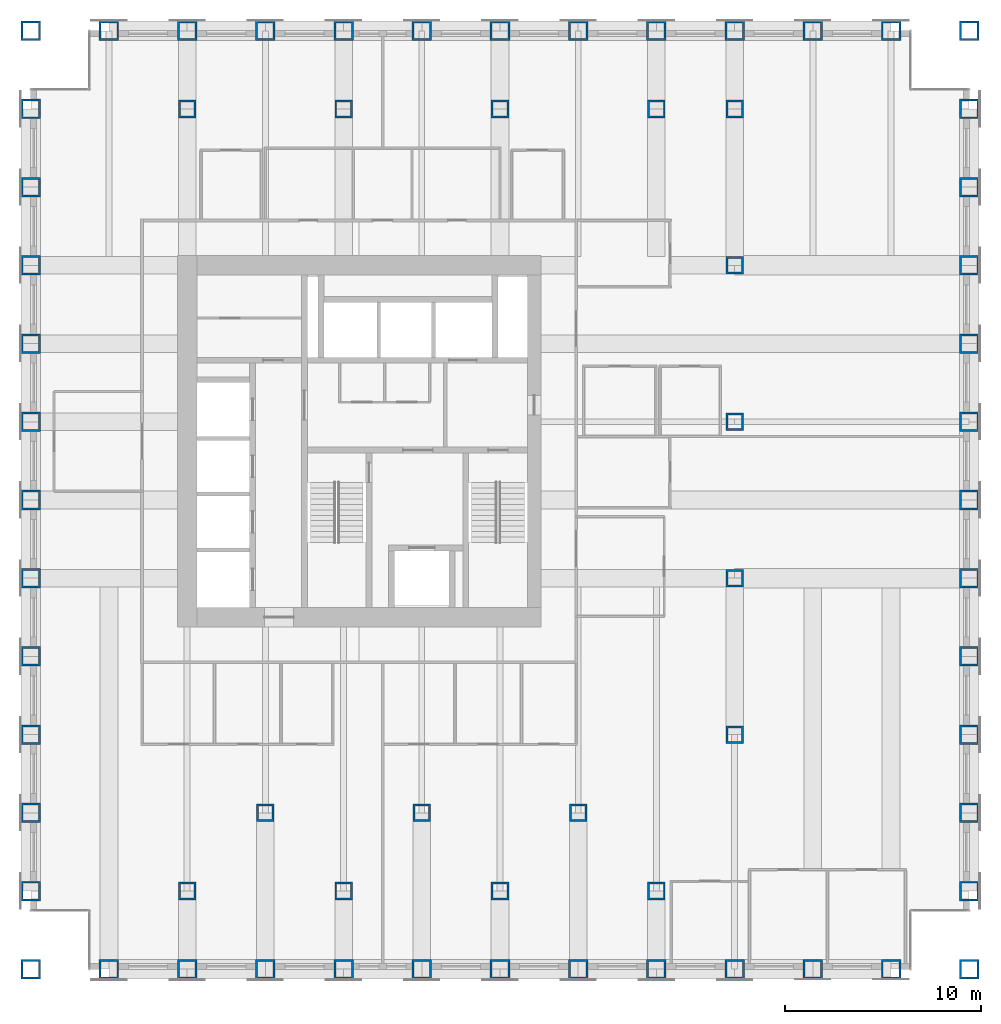
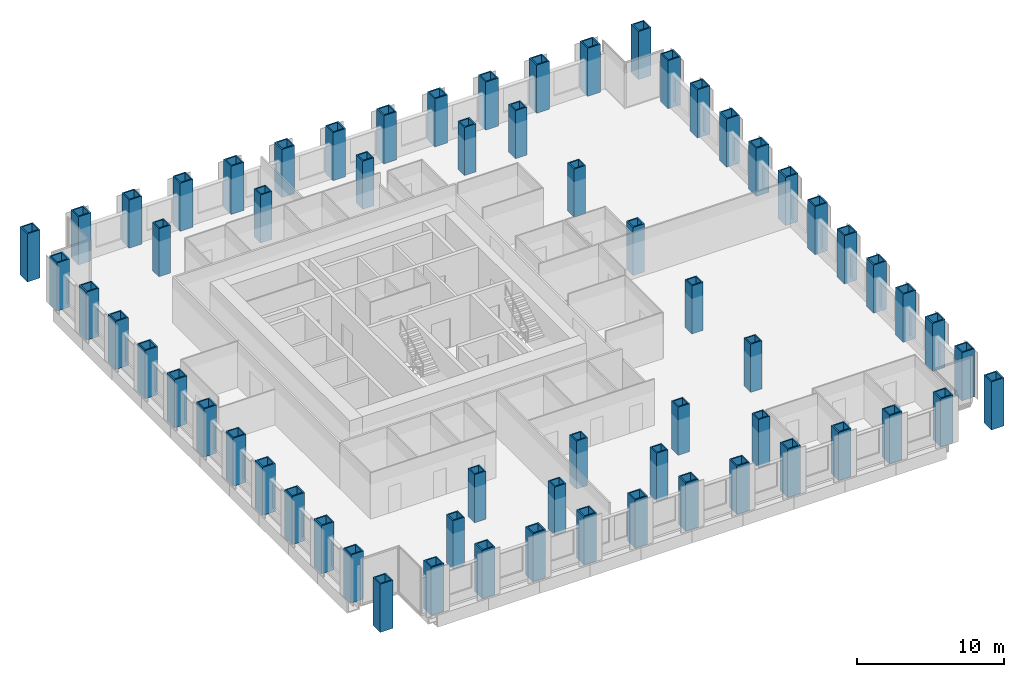
# One storey, part 1 of 16: 64 columns.
"""IFC4 building model written with IfcOpenShell, lengths in metres."""

from ifc_helpers import new_model, si_unit, direction, frame, origin, origin_2d, place, context, subcontext, project, spatial, hollow_rectangle, extrude, material, material_profile, profile_set, type_object, element, save


model = new_model("IFC4")

# Units and contexts
model_context = context("Model", 3, precision=1e-05, world=origin(), true_north=direction((0.0, 1.0)))
body_context = subcontext(model_context, "Body", "Model", "MODEL_VIEW")
ifc_project = project(units=[si_unit("LENGTHUNIT", "METRE"), si_unit("AREAUNIT", "SQUARE_METRE"), si_unit("VOLUMEUNIT", "CUBIC_METRE"), si_unit("PLANEANGLEUNIT", "RADIAN"), si_unit("MASSUNIT", "GRAM", prefix="KILO")], contexts=[model_context])

# Site, building, storey
site_placement = place(None, origin())
site = spatial("IfcSite", under=ifc_project, at=site_placement, CompositionType="ELEMENT")
building_placement = place(site_placement, origin())
building = spatial("IfcBuilding", under=site, at=building_placement, Name="Rimbunsela Tower", CompositionType="ELEMENT")
storey_placement = place(building_placement, frame((0.0, 0.0, 93.39990234375)))
storey = spatial("IfcBuildingStorey", under=building, at=storey_placement, Name="L22", CompositionType="ELEMENT", Elevation=93.39990234375)

# Columns
ifc_material_1 = material(Name="Steel BJ 55 (fy 410 MPa)", Category="steel")
ifc_material_profile_1 = material_profile(ifc_material_1, hollow_rectangle(XDim=1.0, YDim=1.0, WallThickness=0.10009765625, at=origin_2d()), Name="BOX 1000x1000x100")
ifc_profile_set_1 = profile_set([ifc_material_profile_1], Name="Steel BJ 55 (fy 410 MPa)")
column_type_1 = type_object("IfcColumnType", Name="Column BOX 1000x1000x100", PredefinedType="COLUMN", material=ifc_profile_set_1)
for number, where, z_axis, x_axis, name in (
    (1, (10.0, 0.0, 0.0), (0.0, 0.0, 1.0), (1.0, 0.0, 0.0), "Column C1 5/B L22"),
    (2, (10.0, 4.0, 0.0), (0.0, 0.0, 1.0), (1.0, 0.0, 0.0), "Column C1 5/C L22"),
    (3, (10.0, 8.0, 0.0), (0.0, 0.0, 1.0), (1.0, 0.0, 0.0), "Column C1 5/D L22"),
    (4, (10.0, 12.0, 0.0), (0.0, 0.0, 1.0), (1.0, 0.0, 0.0), "Column C1 5/E L22"),
    (5, (10.0, 16.0, 0.0), (0.0, 0.0, 1.0), (1.0, 0.0, 0.0), "Column C1 5/F L22"),
    (6, (10.0, 20.0, 0.0), (0.0, 0.0, 1.0), (1.0, 0.0, 0.0), "Column C1 5/G L22"),
    (7, (10.0, 24.0, 0.0), (0.0, 0.0, 1.0), (1.0, 0.0, 0.0), "Column C1 5/H L22"),
    (8, (10.0, 28.0, 0.0), (0.0, 0.0, 1.0), (1.0, 0.0, 0.0), "Column C1 5/J L22"),
    (9, (10.0, 32.0, 0.0), (0.0, 0.0, 1.0), (1.0, 0.0, 0.0), "Column C1 5/K L22"),
    (10, (10.0, 36.0, 0.0), (0.0, 0.0, 1.0), (1.0, 0.0, 0.0), "Column C1 5/L L22"),
    (11, (10.0, 40.0, 0.0), (0.0, 0.0, 1.0), (1.0, 0.0, 0.0), "Column C1 5/M L22"),
    (12, (10.0, 44.0, 0.0), (0.0, 0.0, 1.0), (1.0, 0.0, 0.0), "Column C1 5/N L22"),
    (13, (10.0, 48.0, 0.0), (0.0, 0.0, 1.0), (1.0, 0.0, 0.0), "Column C1 5/P L22"),
    (14, (14.0, 0.0, 0.0), (0.0, 0.0, 1.0), (1.0, 0.0, 0.0), "Column C1 6/B L22"),
    (15, (14.0, 48.0, 0.0), (0.0, 0.0, 1.0), (1.0, 0.0, 0.0), "Column C1 6/P L22"),
    (16, (18.0, 0.0, 0.0), (0.0, 0.0, 1.0), (1.0, 0.0, 0.0), "Column C1 7/B L22"),
    (17, (18.0, 48.0, 0.0), (0.0, 0.0, 1.0), (1.0, 0.0, 0.0), "Column C1 7/P L22"),
    (18, (22.0, 0.0, 0.0), (0.0, 0.0, 1.0), (1.0, 0.0, 0.0), "Column C1 8/B L22"),
    (19, (22.0, 48.0, 0.0), (0.0, 0.0, 1.0), (1.0, 0.0, 0.0), "Column C1 8/P L22"),
    (20, (26.0, 0.0, 0.0), (0.0, 0.0, 1.0), (1.0, 0.0, 0.0), "Column C1 9/B L22"),
    (21, (26.0, 48.0, 0.0), (0.0, 0.0, 1.0), (1.0, 0.0, 0.0), "Column C1 9/P L22"),
    (22, (30.0, 0.0, 0.0), (0.0, 0.0, 1.0), (1.0, 0.0, 0.0), "Column C1 10/B L22"),
    (23, (30.0, 48.0, 0.0), (0.0, 0.0, 1.0), (1.0, 0.0, 0.0), "Column C1 10/P L22"),
    (24, (34.0, 0.0, 0.0), (0.0, 0.0, 1.0), (1.0, 0.0, 0.0), "Column C1 11/B L22"),
    (25, (34.0, 48.0, 0.0), (0.0, 0.0, 1.0), (1.0, 0.0, 0.0), "Column C1 11/P L22"),
    (26, (38.0, 0.0, 0.0), (0.0, 0.0, 1.0), (1.0, 0.0, 0.0), "Column C1 12/B L22"),
    (27, (38.0, 48.0, 0.0), (0.0, 0.0, 1.0), (1.0, 0.0, 0.0), "Column C1 12/P L22"),
    (28, (42.0, 0.0, 0.0), (0.0, 0.0, 1.0), (1.0, 0.0, 0.0), "Column C1 13/B L22"),
    (29, (42.0, 48.0, 0.0), (0.0, 0.0, 1.0), (1.0, 0.0, 0.0), "Column C1 13/P L22"),
    (30, (46.0, 0.0, 0.0), (0.0, 0.0, 1.0), (1.0, 0.0, 0.0), "Column C1 14/B L22"),
    (31, (46.0, 48.0, 0.0), (0.0, 0.0, 1.0), (1.0, 0.0, 0.0), "Column C1 14/P L22"),
    (32, (50.0, 0.0, 0.0), (0.0, 0.0, 1.0), (1.0, 0.0, 0.0), "Column C1 15/B L22"),
    (33, (50.0, 48.0, 0.0), (0.0, 0.0, 1.0), (1.0, 0.0, 0.0), "Column C1 15/P L22"),
    (34, (54.0, 0.0, 0.0), (0.0, 0.0, 1.0), (1.0, 0.0, 0.0), "Column C1 16/B L22"),
    (35, (54.0, 48.0, 0.0), (0.0, 0.0, 1.0), (1.0, 0.0, 0.0), "Column C1 16/P L22"),
    (36, (58.0, 0.0, 0.0), (0.0, 0.0, 1.0), (1.0, 0.0, 0.0), "Column C1 17/B L22"),
    (37, (58.0, 4.0, 0.0), (0.0, 0.0, 1.0), (1.0, 0.0, 0.0), "Column C1 17/C L22"),
    (38, (58.0, 8.0, 0.0), (0.0, 0.0, 1.0), (1.0, 0.0, 0.0), "Column C1 17/D L22"),
    (39, (58.0, 12.0, 0.0), (0.0, 0.0, 1.0), (1.0, 0.0, 0.0), "Column C1 17/E L22"),
    (40, (58.0, 16.0, 0.0), (0.0, 0.0, 1.0), (1.0, 0.0, 0.0), "Column C1 17/F L22"),
    (41, (58.0, 20.0, 0.0), (0.0, 0.0, 1.0), (1.0, 0.0, 0.0), "Column C1 17/G L22"),
    (42, (58.0, 24.0, 0.0), (0.0, 0.0, 1.0), (1.0, 0.0, 0.0), "Column C1 17/H L22"),
    (43, (58.0, 28.0, 0.0), (0.0, 0.0, 1.0), (1.0, 0.0, 0.0), "Column C1 17/J L22"),
    (44, (58.0, 32.0, 0.0), (0.0, 0.0, 1.0), (1.0, 0.0, 0.0), "Column C1 17/K L22"),
    (45, (58.0, 36.0, 0.0), (0.0, 0.0, 1.0), (1.0, 0.0, 0.0), "Column C1 17/L L22"),
    (46, (58.0, 40.0, 0.0), (0.0, 0.0, 1.0), (1.0, 0.0, 0.0), "Column C1 17/M L22"),
    (47, (58.0, 44.0, 0.0), (0.0, 0.0, 1.0), (1.0, 0.0, 0.0), "Column C1 17/N L22"),
    (48, (58.0, 48.0, 0.0), (0.0, 0.0, 1.0), (1.0, 0.0, 0.0), "Column C1 17/P L22"),
):
    element("IfcColumn", number, at=place(storey_placement, frame(where, z_axis=z_axis, x_axis=x_axis)), inside=storey, type_object=column_type_1, Name=name, PredefinedType="COLUMN", context=body_context, shape_type="SweptSolid", body=[
        extrude(hollow_rectangle(XDim=1.0, YDim=1.0, WallThickness=0.10009765625, at=origin_2d()), origin(), (0.0, 0.0, 1.0), 4.0),
    ])
ifc_material_2 = material(Name="Steel BJ 55 (fy 410 MPa)", Category="steel")
ifc_material_profile_2 = material_profile(ifc_material_2, hollow_rectangle(XDim=0.89990234375, YDim=0.89990234375, WallThickness=0.10009765625, at=origin_2d()), Name="BOX 900x900x100")
ifc_profile_set_2 = profile_set([ifc_material_profile_2], Name="Steel BJ 55 (fy 410 MPa)")
column_type_2 = type_object("IfcColumnType", Name="Column BOX 900x900x100", PredefinedType="COLUMN", material=ifc_profile_set_2)
for number, where, z_axis, x_axis, name in (
    (49, (18.0, 4.0, 0.0), (0.0, 0.0, 1.0), (1.0, 0.0, 0.0), "Column C5 7/C L22"),
    (50, (18.0, 44.0, 0.0), (0.0, 0.0, 1.0), (1.0, 0.0, 0.0), "Column C5 7/N L22"),
    (51, (22.0, 8.0, 0.0), (0.0, 0.0, 1.0), (1.0, 0.0, 0.0), "Column C5 8/D L22"),
    (52, (26.0, 4.0, 0.0), (0.0, 0.0, 1.0), (1.0, 0.0, 0.0), "Column C5 9/C L22"),
    (53, (26.0, 44.0, 0.0), (0.0, 0.0, 1.0), (1.0, 0.0, 0.0), "Column C5 9/N L22"),
    (54, (30.0, 8.0, 0.0), (0.0, 0.0, 1.0), (1.0, 0.0, 0.0), "Column C5 10/D L22"),
    (55, (34.0, 4.0, 0.0), (0.0, 0.0, 1.0), (1.0, 0.0, 0.0), "Column C5 11/C L22"),
    (56, (34.0, 44.0, 0.0), (0.0, 0.0, 1.0), (1.0, 0.0, 0.0), "Column C5 11/N L22"),
    (57, (38.0, 8.0, 0.0), (0.0, 0.0, 1.0), (1.0, 0.0, 0.0), "Column C5 12/D L22"),
    (58, (42.0, 4.0, 0.0), (0.0, 0.0, 1.0), (1.0, 0.0, 0.0), "Column C5 13/C L22"),
    (59, (42.0, 44.0, 0.0), (0.0, 0.0, 1.0), (1.0, 0.0, 0.0), "Column C5 13/N L22"),
    (60, (46.0, 12.0, 0.0), (0.0, 0.0, 1.0), (1.0, 0.0, 0.0), "Column C5 14/E L22"),
    (61, (46.0, 20.0, 0.0), (0.0, 0.0, 1.0), (1.0, 0.0, 0.0), "Column C5 14/G L22"),
    (62, (46.0, 28.0, 0.0), (0.0, 0.0, 1.0), (1.0, 0.0, 0.0), "Column C5 14/J L22"),
    (63, (46.0, 36.0, 0.0), (0.0, 0.0, 1.0), (1.0, 0.0, 0.0), "Column C5 14/L L22"),
    (64, (46.0, 44.0, 0.0), (0.0, 0.0, 1.0), (1.0, 0.0, 0.0), "Column C5 14/N L22"),
):
    element("IfcColumn", number, at=place(storey_placement, frame(where, z_axis=z_axis, x_axis=x_axis)), inside=storey, type_object=column_type_2, Name=name, PredefinedType="COLUMN", context=body_context, shape_type="SweptSolid", body=[
        extrude(hollow_rectangle(XDim=0.89990234375, YDim=0.89990234375, WallThickness=0.10009765625, at=origin_2d()), origin(), (0.0, 0.0, 1.0), 4.0),
    ])

save(model, "model.ifc")
